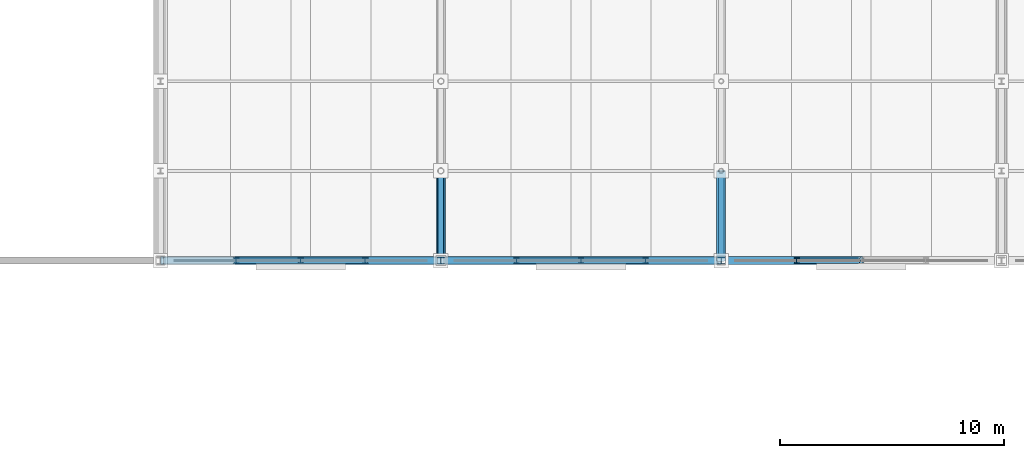
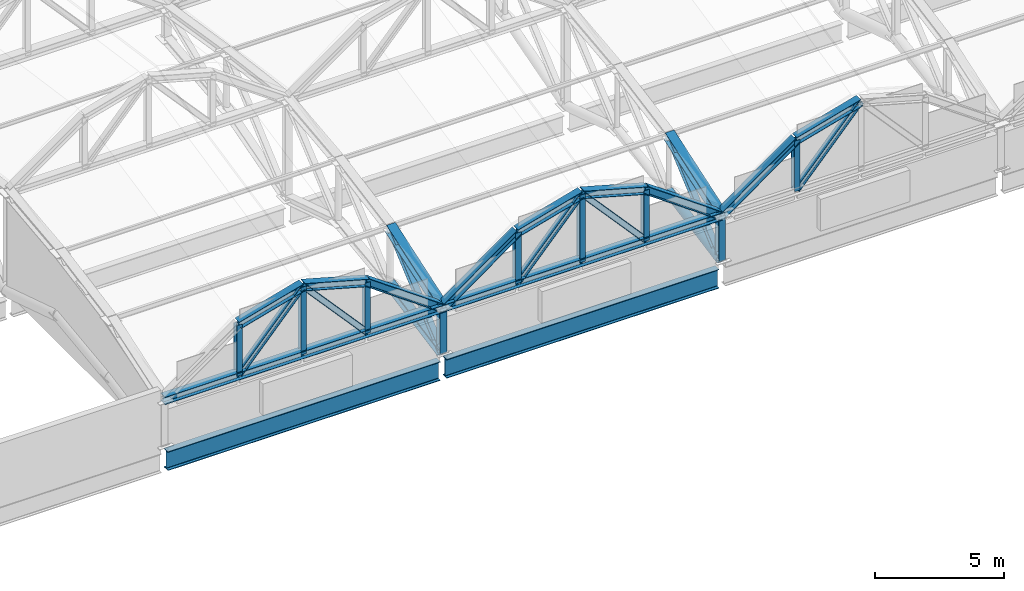
# One storey, part 16 of 117: 31 members, 2 beams.
"""IFC4 building model written with IfcOpenShell, lengths in metres."""

from ifc_helpers import new_model, si_unit, direction, frame, origin, origin_2d, place, context, subcontext, project, spatial, hollow_circle, i_section, extrude, material, material_profile, profile_set, type_object, element, save


model = new_model("IFC4")

# Units and contexts
model_context = context("Model", 3, precision=1e-05, world=origin(), true_north=direction((0.0, 1.0)))
body_context = subcontext(model_context, "Body", "Model", "MODEL_VIEW")
ifc_project = project(units=[si_unit("LENGTHUNIT", "METRE"), si_unit("AREAUNIT", "SQUARE_METRE"), si_unit("VOLUMEUNIT", "CUBIC_METRE"), si_unit("PLANEANGLEUNIT", "RADIAN"), si_unit("MASSUNIT", "GRAM", prefix="KILO")], contexts=[model_context])

# Site, building, storey
site_placement = place(None, origin())
site = spatial("IfcSite", under=ifc_project, at=site_placement, CompositionType="ELEMENT")
building_placement = place(site_placement, origin())
building = spatial("IfcBuilding", under=site, at=building_placement, Name="Kazenohara Klinker Stadium", CompositionType="ELEMENT")
storey_placement = place(building_placement, frame((0.0, 0.0, 31.199951171875)))
storey = spatial("IfcBuildingStorey", under=building, at=storey_placement, Name="RF", CompositionType="ELEMENT", Elevation=31.199951171875)

# Members
ifc_material = material(Name="Steel S355", Category="steel")
ifc_material_profile_1 = material_profile(ifc_material, i_section(OverallWidth=0.25, OverallDepth=0.25, WebThickness=0.009033203125, FlangeThickness=0.013916015625, FilletRadius=0.012939453125, at=origin_2d()), Name="H-250x250x9x14")
ifc_profile_set_1 = profile_set([ifc_material_profile_1], Name="Steel S355")
member_type_1 = type_object("IfcMemberType", Name="MEM-BRC02", PredefinedType="BRACE", material=ifc_profile_set_1)
for number, where, z_axis, x_axis, name in (
    (1, (74.0, 24.0, -0.02001953125), (0.0, 0.755380190588, 0.655286782765), (-1.0, 0.0, 0.0), "ROOF TRUSS RT-S02 web diagonal 1"),
    (2, (86.5, 24.0, -0.02001953125), (0.0, 0.755380190588, 0.655286782765), (-1.0, 0.0, 0.0), "ROOF TRUSS RT-S03 web diagonal 1"),
):
    element("IfcMember", number, at=place(storey_placement, frame(where, z_axis=z_axis, x_axis=x_axis)), inside=storey, type_object=member_type_1, Name=name, PredefinedType="BRACE", context=body_context, shape_type="SweptSolid", body=[
        extrude(i_section(OverallWidth=0.25, OverallDepth=0.25, WebThickness=0.009033203125, FlangeThickness=0.013916015625, FilletRadius=0.012939453125, at=origin_2d()), origin(), (0.0, 0.0, 1.0), 5.29541015625),
    ])
ifc_material_profile_2 = material_profile(ifc_material, i_section(OverallWidth=0.39990234375, OverallDepth=0.39990234375, WebThickness=0.012939453125, FlangeThickness=0.02099609375, FilletRadius=0.02197265625, at=origin_2d()), Name="H-400x400x13x21")
ifc_profile_set_2 = profile_set([ifc_material_profile_2], Name="Steel S355")
member_type_2 = type_object("IfcMemberType", Name="MEM-CHD01", PredefinedType="CHORD", material=ifc_profile_set_2)
for number, where, z_axis, x_axis, name in (
    (3, (74.0, 24.0, 2.10009765625), (0.0, 0.947502791724, 0.319747493618), (-1.0, 0.0, 0.0), "ROOF TRUSS RT-S02 top arched chord 1"),
    (4, (86.5, 24.0, 2.10009765625), (0.0, 0.947502791724, 0.319747493618), (-1.0, 0.0, 0.0), "ROOF TRUSS RT-S03 top arched chord 1"),
):
    element("IfcMember", number, at=place(storey_placement, frame(where, z_axis=z_axis, x_axis=x_axis)), inside=storey, type_object=member_type_2, Name=name, PredefinedType="CHORD", context=body_context, shape_type="SweptSolid", body=[
        extrude(i_section(OverallWidth=0.39990234375, OverallDepth=0.39990234375, WebThickness=0.012939453125, FlangeThickness=0.02099609375, FilletRadius=0.02197265625, at=origin_2d()), origin(), (0.0, 0.0, 1.0), 4.2216796875),
    ])
ifc_material_profile_3 = material_profile(ifc_material, i_section(OverallWidth=0.35009765625, OverallDepth=0.35009765625, WebThickness=0.011962890625, FlangeThickness=0.01904296875, FilletRadius=0.012939453125, at=origin_2d()), Name="H-350x350x12x19")
ifc_profile_set_3 = profile_set([ifc_material_profile_3], Name="Steel S355")
member_type_3 = type_object("IfcMemberType", Name="MEM-CHD02", PredefinedType="CHORD", material=ifc_profile_set_3)
member_1_placement = place(storey_placement, frame((74.0, 24.0, -0.02001953125), z_axis=(0.0, 0.981970519692, 0.189034119819), x_axis=(-1.0, 0.0, 0.0)))
element("IfcMember", 5, at=member_1_placement, inside=storey, type_object=member_type_3, Name="ROOF TRUSS RT-S02 bottom arched chord 1", PredefinedType="CHORD", context=body_context, shape_type="SweptSolid", body=[
    extrude(i_section(OverallWidth=0.35009765625, OverallDepth=0.35009765625, WebThickness=0.011962890625, FlangeThickness=0.01904296875, FilletRadius=0.012939453125, at=origin_2d()), origin(), (0.0, 0.0, 1.0), 4.073486328125),
])
member_2_placement = place(storey_placement, frame((61.5, 24.0, 2.10009765625), z_axis=(1.0, 0.0, 0.0), x_axis=(0.0, 1.0, 0.0)))
element("IfcMember", 6, at=member_2_placement, inside=storey, type_object=member_type_3, Name="Barrel arch tie chord TC02 S-01-N0", PredefinedType="CHORD", context=body_context, shape_type="SweptSolid", body=[
    extrude(i_section(OverallWidth=0.35009765625, OverallDepth=0.35009765625, WebThickness=0.011962890625, FlangeThickness=0.01904296875, FilletRadius=0.012939453125, at=origin_2d()), origin(), (0.0, 0.0, 1.0), 12.5),
])
for number, where, z_axis, x_axis, name in (
    (7, (64.875, 24.0, 4.5), (0.963393567269, 0.0, 0.268091093745), (0.0, 1.0, 0.0), "Barrel arch top rib TC02 S-01-N0-S2"),
    (8, (67.75, 24.0, 5.300048828125), (0.963393567269, 0.0, -0.268091093745), (0.0, 1.0, 0.0), "Barrel arch top rib TC02 S-01-N0-S3"),
):
    element("IfcMember", number, at=place(storey_placement, frame(where, z_axis=z_axis, x_axis=x_axis)), inside=storey, type_object=member_type_3, Name=name, PredefinedType="CHORD", context=body_context, shape_type="SweptSolid", body=[
        extrude(i_section(OverallWidth=0.35009765625, OverallDepth=0.35009765625, WebThickness=0.011962890625, FlangeThickness=0.01904296875, FilletRadius=0.012939453125, at=origin_2d()), origin(), (0.0, 0.0, 1.0), 2.984130859375),
    ])
member_3_placement = place(storey_placement, frame((70.625, 24.0, 4.5), z_axis=(0.814966461491, 0.0, -0.579508124744), x_axis=(0.0, 1.0, 0.0)))
element("IfcMember", 9, at=member_3_placement, inside=storey, type_object=member_type_3, Name="Barrel arch top rib TC02 S-01-N0-S4", PredefinedType="CHORD", context=body_context, shape_type="SweptSolid", body=[
    extrude(i_section(OverallWidth=0.35009765625, OverallDepth=0.35009765625, WebThickness=0.011962890625, FlangeThickness=0.01904296875, FilletRadius=0.012939453125, at=origin_2d()), origin(), (0.0, 0.0, 1.0), 4.141357421875),
])
member_4_placement = place(storey_placement, frame((74.0, 24.0, 2.10009765625), z_axis=(1.0, 0.0, 0.0), x_axis=(0.0, 1.0, 0.0)))
element("IfcMember", 10, at=member_4_placement, inside=storey, type_object=member_type_3, Name="Barrel arch tie chord TC02 S-02-N0", PredefinedType="CHORD", context=body_context, shape_type="SweptSolid", body=[
    extrude(i_section(OverallWidth=0.35009765625, OverallDepth=0.35009765625, WebThickness=0.011962890625, FlangeThickness=0.01904296875, FilletRadius=0.012939453125, at=origin_2d()), origin(), (0.0, 0.0, 1.0), 12.5),
])
member_5_placement = place(storey_placement, frame((74.0, 24.0, 2.10009765625), z_axis=(0.814966461491, 0.0, 0.579508124744), x_axis=(0.0, 1.0, 0.0)))
element("IfcMember", 11, at=member_5_placement, inside=storey, type_object=member_type_3, Name="Barrel arch top rib TC02 S-02-N0-S1", PredefinedType="CHORD", context=body_context, shape_type="SweptSolid", body=[
    extrude(i_section(OverallWidth=0.35009765625, OverallDepth=0.35009765625, WebThickness=0.011962890625, FlangeThickness=0.01904296875, FilletRadius=0.012939453125, at=origin_2d()), origin(), (0.0, 0.0, 1.0), 4.141357421875),
])
for number, where, z_axis, x_axis, name in (
    (12, (77.375, 24.0, 4.5), (0.963393567269, 0.0, 0.268091093745), (0.0, 1.0, 0.0), "Barrel arch top rib TC02 S-02-N0-S2"),
    (13, (80.25, 24.0, 5.300048828125), (0.963393567269, 0.0, -0.268091093745), (0.0, 1.0, 0.0), "Barrel arch top rib TC02 S-02-N0-S3"),
):
    element("IfcMember", number, at=place(storey_placement, frame(where, z_axis=z_axis, x_axis=x_axis)), inside=storey, type_object=member_type_3, Name=name, PredefinedType="CHORD", context=body_context, shape_type="SweptSolid", body=[
        extrude(i_section(OverallWidth=0.35009765625, OverallDepth=0.35009765625, WebThickness=0.011962890625, FlangeThickness=0.01904296875, FilletRadius=0.012939453125, at=origin_2d()), origin(), (0.0, 0.0, 1.0), 2.984130859375),
    ])
for number, where, z_axis, x_axis, name in (
    (14, (83.125, 24.0, 4.5), (0.814966461491, 0.0, -0.579508124744), (0.0, 1.0, 0.0), "Barrel arch top rib TC02 S-02-N0-S4"),
    (15, (86.5, 24.0, 2.10009765625), (0.814966461491, 0.0, 0.579508124744), (0.0, 1.0, 0.0), "Barrel arch top rib TC02 S-03-N0-S1"),
):
    element("IfcMember", number, at=place(storey_placement, frame(where, z_axis=z_axis, x_axis=x_axis)), inside=storey, type_object=member_type_3, Name=name, PredefinedType="CHORD", context=body_context, shape_type="SweptSolid", body=[
        extrude(i_section(OverallWidth=0.35009765625, OverallDepth=0.35009765625, WebThickness=0.011962890625, FlangeThickness=0.01904296875, FilletRadius=0.012939453125, at=origin_2d()), origin(), (0.0, 0.0, 1.0), 4.141357421875),
    ])
member_6_placement = place(storey_placement, frame((89.875, 24.0, 4.5), z_axis=(0.963393567269, 0.0, 0.268091093745), x_axis=(0.0, 1.0, 0.0)))
element("IfcMember", 16, at=member_6_placement, inside=storey, type_object=member_type_3, Name="Barrel arch top rib TC02 S-03-N0-S2", PredefinedType="CHORD", context=body_context, shape_type="SweptSolid", body=[
    extrude(i_section(OverallWidth=0.35009765625, OverallDepth=0.35009765625, WebThickness=0.011962890625, FlangeThickness=0.01904296875, FilletRadius=0.012939453125, at=origin_2d()), origin(), (0.0, 0.0, 1.0), 2.984130859375),
])
ifc_material_profile_4 = material_profile(ifc_material, hollow_circle(Radius=0.203125, WallThickness=0.011962890625, at=origin_2d()), Name="CHS-406.4x12")
ifc_profile_set_4 = profile_set([ifc_material_profile_4], Name="Steel S355")
member_type_4 = type_object("IfcMemberType", Name="MEM-CHD03", PredefinedType="CHORD", material=ifc_profile_set_4)
member_7_placement = place(storey_placement, frame((86.5, 24.0, -0.02001953125), z_axis=(0.0, 0.981970519692, 0.189034119819), x_axis=(-1.0, 0.0, 0.0)))
element("IfcMember", 17, at=member_7_placement, inside=storey, type_object=member_type_4, Name="ROOF TRUSS RT-S03 bottom arched chord 1", PredefinedType="CHORD", context=body_context, shape_type="SweptSolid", body=[
    extrude(hollow_circle(Radius=0.203125, WallThickness=0.011962890625, at=origin_2d()), origin(), (0.0, 0.0, 1.0), 4.073486328125),
])
ifc_material_profile_5 = material_profile(ifc_material, i_section(OverallWidth=0.300048828125, OverallDepth=0.300048828125, WebThickness=0.010009765625, FlangeThickness=0.014892578125, FilletRadius=0.012939453125, at=origin_2d()), Name="H-300x300x10x15")
ifc_profile_set_5 = profile_set([ifc_material_profile_5], Name="Steel S355")
member_type_5 = type_object("IfcMemberType", Name="MEM-STR01", PredefinedType="STRUT", material=ifc_profile_set_5)
for number, where, z_axis, x_axis, name in (
    (18, (74.0, 24.0, -0.02001953125), (0.0, 0.0, 1.0), (1.0, 0.0, 0.0), "ROOF TRUSS RT-S02 web post 1"),
    (19, (86.5, 24.0, -0.02001953125), (0.0, 0.0, 1.0), (1.0, 0.0, 0.0), "ROOF TRUSS RT-S03 web post 1"),
):
    element("IfcMember", number, at=place(storey_placement, frame(where, z_axis=z_axis, x_axis=x_axis)), inside=storey, type_object=member_type_5, Name=name, PredefinedType="STRUT", context=body_context, shape_type="SweptSolid", body=[
        extrude(i_section(OverallWidth=0.300048828125, OverallDepth=0.300048828125, WebThickness=0.010009765625, FlangeThickness=0.014892578125, FilletRadius=0.012939453125, at=origin_2d()), origin(), (0.0, 0.0, 1.0), 2.1201171875),
    ])
ifc_material_profile_6 = material_profile(ifc_material, i_section(OverallWidth=0.25, OverallDepth=0.25, WebThickness=0.009033203125, FlangeThickness=0.013916015625, FilletRadius=0.012939453125, at=origin_2d()), Name="H-250x250x9x14")
ifc_profile_set_6 = profile_set([ifc_material_profile_6], Name="Steel S355")
member_type_6 = type_object("IfcMemberType", Name="MEM-STR02", PredefinedType="STRUT", material=ifc_profile_set_6)
member_8_placement = place(storey_placement, frame((64.875, 24.0, 2.10009765625), z_axis=(0.0, 0.0, 1.0), x_axis=(1.0, 0.0, 0.0)))
element("IfcMember", 20, at=member_8_placement, inside=storey, type_object=member_type_6, Name="Barrel arch web post TS02 S-01-N0-P1", PredefinedType="STRUT", context=body_context, shape_type="SweptSolid", body=[
    extrude(i_section(OverallWidth=0.25, OverallDepth=0.25, WebThickness=0.009033203125, FlangeThickness=0.013916015625, FilletRadius=0.012939453125, at=origin_2d()), origin(), (0.0, 0.0, 1.0), 2.39990234375),
])
member_9_placement = place(storey_placement, frame((67.75, 24.0, 2.10009765625), z_axis=(0.0, 0.0, 1.0), x_axis=(1.0, 0.0, 0.0)))
element("IfcMember", 21, at=member_9_placement, inside=storey, type_object=member_type_6, Name="Barrel arch web post TS02 S-01-N0-P2", PredefinedType="STRUT", context=body_context, shape_type="SweptSolid", body=[
    extrude(i_section(OverallWidth=0.25, OverallDepth=0.25, WebThickness=0.009033203125, FlangeThickness=0.013916015625, FilletRadius=0.012939453125, at=origin_2d()), origin(), (0.0, 0.0, 1.0), 3.199951171875),
])
member_10_placement = place(storey_placement, frame((70.625, 24.0, 2.10009765625), z_axis=(0.0, 0.0, 1.0), x_axis=(1.0, 0.0, 0.0)))
element("IfcMember", 22, at=member_10_placement, inside=storey, type_object=member_type_6, Name="Barrel arch web post TS02 S-01-N0-P3", PredefinedType="STRUT", context=body_context, shape_type="SweptSolid", body=[
    extrude(i_section(OverallWidth=0.25, OverallDepth=0.25, WebThickness=0.009033203125, FlangeThickness=0.013916015625, FilletRadius=0.012939453125, at=origin_2d()), origin(), (0.0, 0.0, 1.0), 2.39990234375),
])
for number, where, z_axis, x_axis, name in (
    (23, (64.875, 24.0, 2.10009765625), (0.668327970369, 0.0, 0.74386673808), (0.0, 1.0, 0.0), "Barrel arch web diagonal TS02 S-01-N0-D1"),
    (24, (70.625, 24.0, 2.10009765625), (-0.668327970369, 0.0, 0.74386673808), (0.0, -1.0, 0.0), "Barrel arch web diagonal TS02 S-01-N0-D2"),
):
    element("IfcMember", number, at=place(storey_placement, frame(where, z_axis=z_axis, x_axis=x_axis)), inside=storey, type_object=member_type_6, Name=name, PredefinedType="STRUT", context=body_context, shape_type="SweptSolid", body=[
        extrude(i_section(OverallWidth=0.25, OverallDepth=0.25, WebThickness=0.009033203125, FlangeThickness=0.013916015625, FilletRadius=0.012939453125, at=origin_2d()), origin(), (0.0, 0.0, 1.0), 4.3017578125),
    ])
member_11_placement = place(storey_placement, frame((77.375, 24.0, 2.10009765625), z_axis=(0.0, 0.0, 1.0), x_axis=(1.0, 0.0, 0.0)))
element("IfcMember", 25, at=member_11_placement, inside=storey, type_object=member_type_6, Name="Barrel arch web post TS02 S-02-N0-P1", PredefinedType="STRUT", context=body_context, shape_type="SweptSolid", body=[
    extrude(i_section(OverallWidth=0.25, OverallDepth=0.25, WebThickness=0.009033203125, FlangeThickness=0.013916015625, FilletRadius=0.012939453125, at=origin_2d()), origin(), (0.0, 0.0, 1.0), 2.39990234375),
])
member_12_placement = place(storey_placement, frame((80.25, 24.0, 2.10009765625), z_axis=(0.0, 0.0, 1.0), x_axis=(1.0, 0.0, 0.0)))
element("IfcMember", 26, at=member_12_placement, inside=storey, type_object=member_type_6, Name="Barrel arch web post TS02 S-02-N0-P2", PredefinedType="STRUT", context=body_context, shape_type="SweptSolid", body=[
    extrude(i_section(OverallWidth=0.25, OverallDepth=0.25, WebThickness=0.009033203125, FlangeThickness=0.013916015625, FilletRadius=0.012939453125, at=origin_2d()), origin(), (0.0, 0.0, 1.0), 3.199951171875),
])
member_13_placement = place(storey_placement, frame((83.125, 24.0, 2.10009765625), z_axis=(0.0, 0.0, 1.0), x_axis=(1.0, 0.0, 0.0)))
element("IfcMember", 27, at=member_13_placement, inside=storey, type_object=member_type_6, Name="Barrel arch web post TS02 S-02-N0-P3", PredefinedType="STRUT", context=body_context, shape_type="SweptSolid", body=[
    extrude(i_section(OverallWidth=0.25, OverallDepth=0.25, WebThickness=0.009033203125, FlangeThickness=0.013916015625, FilletRadius=0.012939453125, at=origin_2d()), origin(), (0.0, 0.0, 1.0), 2.39990234375),
])
for number, where, z_axis, x_axis, name in (
    (28, (77.375, 24.0, 2.10009765625), (0.668327970369, 0.0, 0.74386673808), (0.0, 1.0, 0.0), "Barrel arch web diagonal TS02 S-02-N0-D1"),
    (29, (83.125, 24.0, 2.10009765625), (-0.668327970369, 0.0, 0.74386673808), (0.0, -1.0, 0.0), "Barrel arch web diagonal TS02 S-02-N0-D2"),
):
    element("IfcMember", number, at=place(storey_placement, frame(where, z_axis=z_axis, x_axis=x_axis)), inside=storey, type_object=member_type_6, Name=name, PredefinedType="STRUT", context=body_context, shape_type="SweptSolid", body=[
        extrude(i_section(OverallWidth=0.25, OverallDepth=0.25, WebThickness=0.009033203125, FlangeThickness=0.013916015625, FilletRadius=0.012939453125, at=origin_2d()), origin(), (0.0, 0.0, 1.0), 4.3017578125),
    ])
member_14_placement = place(storey_placement, frame((89.875, 24.0, 2.10009765625), z_axis=(0.0, 0.0, 1.0), x_axis=(1.0, 0.0, 0.0)))
element("IfcMember", 30, at=member_14_placement, inside=storey, type_object=member_type_6, Name="Barrel arch web post TS02 S-03-N0-P1", PredefinedType="STRUT", context=body_context, shape_type="SweptSolid", body=[
    extrude(i_section(OverallWidth=0.25, OverallDepth=0.25, WebThickness=0.009033203125, FlangeThickness=0.013916015625, FilletRadius=0.012939453125, at=origin_2d()), origin(), (0.0, 0.0, 1.0), 2.39990234375),
])
member_15_placement = place(storey_placement, frame((89.875, 24.0, 2.10009765625), z_axis=(0.668327970369, 0.0, 0.74386673808), x_axis=(0.0, 1.0, 0.0)))
element("IfcMember", 31, at=member_15_placement, inside=storey, type_object=member_type_6, Name="Barrel arch web diagonal TS02 S-03-N0-D1", PredefinedType="STRUT", context=body_context, shape_type="SweptSolid", body=[
    extrude(i_section(OverallWidth=0.25, OverallDepth=0.25, WebThickness=0.009033203125, FlangeThickness=0.013916015625, FilletRadius=0.012939453125, at=origin_2d()), origin(), (0.0, 0.0, 1.0), 4.3017578125),
])

# Beams
ifc_material_profile_7 = material_profile(ifc_material, i_section(OverallWidth=0.300048828125, OverallDepth=0.89990234375, WebThickness=0.01611328125, FlangeThickness=0.028076171875, FilletRadius=0.02197265625, at=origin_2d()), Name="H-900x300x16x28")
ifc_profile_set_7 = profile_set([ifc_material_profile_7], Name="Steel S355")
beam_type = type_object("IfcBeamType", Name="RING-RB01", PredefinedType="USERDEFINED", material=ifc_profile_set_7)
for number, where, z_axis, x_axis, name in (
    (32, (61.639892578125, 24.0, -0.820068359375), (1.0, 0.0, 0.0), (0.0, 1.0, 0.0), "Roof ring beam RB01 S-OUT 6-7"),
    (33, (74.139892578125, 24.0, -0.820068359375), (1.0, 0.0, 0.0), (0.0, 1.0, 0.0), "Roof ring beam RB01 S-OUT 7-8"),
):
    element("IfcBeam", number, at=place(storey_placement, frame(where, z_axis=z_axis, x_axis=x_axis)), inside=storey, type_object=beam_type, Name=name, ObjectType="RING BEAM", PredefinedType="USERDEFINED", context=body_context, shape_type="SweptSolid", body=[
        extrude(i_section(OverallWidth=0.300048828125, OverallDepth=0.89990234375, WebThickness=0.01611328125, FlangeThickness=0.028076171875, FilletRadius=0.02197265625, at=origin_2d()), origin(), (0.0, 0.0, 1.0), 12.22021484375),
    ])

save(model, "model.ifc")
